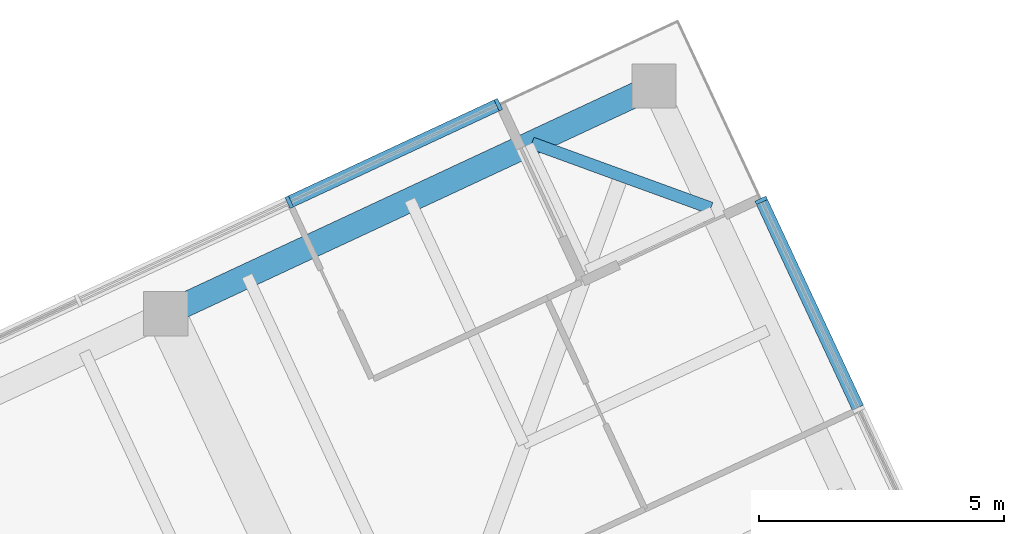
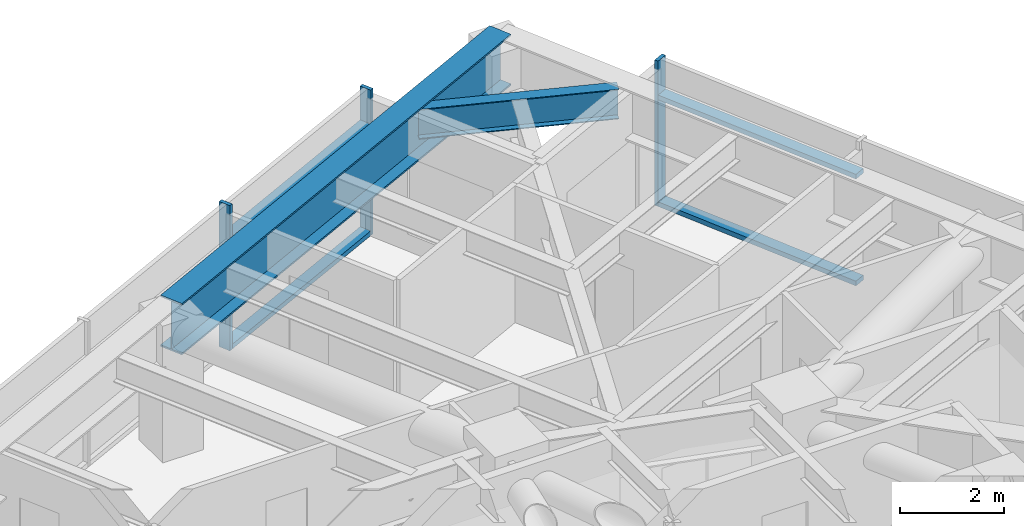
# One storey, part 7 of 16: 7 members, 2 beams, 2 elements without a shape of their own.
"""IFC4 building model written with IfcOpenShell, lengths in metres."""

import ifcopenshell
import ifcopenshell.guid

model = None  # the IFC model being written
_history = None  # IfcOwnerHistory: only IFC2X3 demands one
_inside = {}  # id of a spatial element -> (the spatial element, [elements in it])
_under = {}  # id of a project, library or spatial element -> (it, [spatial elements below it])
_declared = {}  # id of a project -> (the project, [libraries it declares])
_typed = {}  # id of a type object -> (the type object, [elements of that type])
_made_of = {}  # id of a material, layer set ... -> (it, [elements and type objects made of it])


def new_model(schema):
    """Start an empty IFC model of exactly this schema.

    Asked for "IFC4X3", IfcOpenShell would pick the latest addendum, in which some entities
    have other attributes; the version numbers below select the first issue.
    IFC2X3 requires an IfcOwnerHistory on every rooted entity: one is made here for all.
    """
    global model, _history
    if schema == "IFC4X3":
        model = ifcopenshell.file(schema_version=(4, 3, 0, 0))
    else:
        model = ifcopenshell.file(schema=schema)
    _inside.clear()
    _under.clear()
    _declared.clear()
    _typed.clear()
    _made_of.clear()
    _history = None
    if model.schema == "IFC2X3":
        org = make("IfcOrganization", Name="unknown")
        user = make(
            "IfcPersonAndOrganization",
            ThePerson=make("IfcPerson", FamilyName="unknown"),
            TheOrganization=org,
        )
        app = make(
            "IfcApplication",
            ApplicationDeveloper=org,
            Version="unknown",
            ApplicationFullName="unknown",
            ApplicationIdentifier="unknown",
        )
        _history = make(
            "IfcOwnerHistory",
            OwningUser=user,
            OwningApplication=app,
            ChangeAction="ADDED",
            CreationDate=0,
        )
    return model


def make(cls, **values):
    """One entity of the class cls with the attributes given. An attribute that is None is left unset."""
    return model.create_entity(
        cls, **{name: value for name, value in values.items() if value is not None}
    )


def rooted(cls, **values):
    """An entity with a GlobalId (a new one), such as an element, a storey or a relation."""
    return make(cls, GlobalId=ifcopenshell.guid.new(), OwnerHistory=_history, **values)


def si_unit(unit_type, name, prefix=None):
    """IfcSIUnit, for example si_unit("LENGTHUNIT", "METRE", prefix="MILLI")."""
    return make("IfcSIUnit", UnitType=unit_type, Prefix=prefix, Name=name)


def assignment(units):
    """IfcUnitAssignment: the units of a project."""
    return None if units is None else make("IfcUnitAssignment", Units=units)


def point(xyz):
    """IfcCartesianPoint."""
    return None if xyz is None else make("IfcCartesianPoint", Coordinates=xyz)


def direction(xyz):
    """IfcDirection."""
    return None if xyz is None else make("IfcDirection", DirectionRatios=xyz)


def frame(location, z_axis=None, x_axis=None):
    """IfcAxis2Placement3D, a coordinate frame: its origin and axes. An axis left out is left unset."""
    return make(
        "IfcAxis2Placement3D",
        Location=point(location),
        Axis=direction(z_axis),
        RefDirection=direction(x_axis),
    )


def frame_2d(location, x_axis=None):
    """IfcAxis2Placement2D, a coordinate frame in the plane: its origin and x axis."""
    return make(
        "IfcAxis2Placement2D", Location=point(location), RefDirection=direction(x_axis)
    )


def origin():
    """The frame at (0, 0, 0) with its axes left unset."""
    return frame((0.0, 0.0, 0.0))


def origin_2d():
    """The frame at (0, 0) in the plane with its x axis left unset."""
    return frame_2d((0.0, 0.0))


def place(relative_to, where):
    """IfcLocalPlacement: puts the frame where relative to a parent placement (None: the world)."""
    return make(
        "IfcLocalPlacement", PlacementRelTo=relative_to, RelativePlacement=where
    )


def context(
    kind, dimensions, precision=None, world=None, true_north=None, identifier=None
):
    """IfcGeometricRepresentationContext, for example the 3D "Model" context."""
    return make(
        "IfcGeometricRepresentationContext",
        ContextIdentifier=identifier,
        ContextType=kind,
        CoordinateSpaceDimension=dimensions,
        Precision=precision,
        WorldCoordinateSystem=world,
        TrueNorth=true_north,
    )


def subcontext(parent, identifier, kind, view, scale=None):
    """IfcGeometricRepresentationSubContext, for example "Body" below "Model"."""
    return make(
        "IfcGeometricRepresentationSubContext",
        ContextIdentifier=identifier,
        ContextType=kind,
        ParentContext=parent,
        TargetScale=scale,
        TargetView=view,
    )


def project(units=None, contexts=None):
    """IfcProject with its units and contexts."""
    return rooted(
        "IfcProject",
        Name="project",
        RepresentationContexts=contexts,
        UnitsInContext=assignment(units),
    )


def spatial(cls, under=None, at=None, **own):
    """A site, building, storey or space (cls), placed at a placement, below another one or the project."""
    s = rooted(cls, ObjectPlacement=at, **own)
    if under is not None:
        _under.setdefault(under.id(), (under, []))[1].append(s)
    return s


def profile(cls, at=None, kind="AREA", **sizes):
    """A parametric profile (cls). Its sizes go by their IFC names, for example OverallWidth=200.0."""
    return make(cls, ProfileType=kind, Position=at, **sizes)


def rectangle(**sizes):
    """IfcRectangleProfileDef."""
    return profile("IfcRectangleProfileDef", **sizes)


def i_section(**sizes):
    """IfcIShapeProfileDef."""
    return profile("IfcIShapeProfileDef", **sizes)


def extrude(swept, where, along, depth):
    """IfcExtrudedAreaSolid: the profile swept, set in the frame where, extruded along a direction by depth."""
    return make(
        "IfcExtrudedAreaSolid",
        SweptArea=swept,
        Position=where,
        ExtrudedDirection=direction(along),
        Depth=depth,
    )


def shape(context_of_items, identifier, shape_type, items):
    """IfcShapeRepresentation: the items that make up one representation, for example the "Body"."""
    return make(
        "IfcShapeRepresentation",
        ContextOfItems=context_of_items,
        RepresentationIdentifier=identifier,
        RepresentationType=shape_type,
        Items=items,
    )


def material(Name=None, Category=None):
    """IfcMaterial."""
    return make("IfcMaterial", Name=Name, Category=Category)


def material_profile(
    of_material, cross_section, Name=None, Category=None, Priority=None
):
    """IfcMaterialProfile: a cross section and its material."""
    return make(
        "IfcMaterialProfile",
        Name=Name,
        Material=of_material,
        Profile=cross_section,
        Priority=Priority,
        Category=Category,
    )


def profile_set(profiles, Name=None, composite=None):
    """IfcMaterialProfileSet."""
    return make(
        "IfcMaterialProfileSet",
        Name=Name,
        MaterialProfiles=profiles,
        CompositeProfile=composite,
    )


def made_of(thing, what):
    """Note that an element or type object is made of a material, layer set ...; save() writes the relation."""
    if what is not None:
        _made_of.setdefault(what.id(), (what, []))[1].append(thing)
    return thing


def type_object(cls, material=None, **own):
    """A type object (cls), such as IfcWallType, which elements share."""
    return made_of(rooted(cls, **own), material)


def element(
    cls,
    number,
    at=None,
    inside=None,
    cuts=None,
    type_object=None,
    material=None,
    context=None,
    identifier="Body",
    shape_type=None,
    held_by="IfcProductDefinitionShape",
    body=None,
    shapes=None,
    **own,
):
    """One element of the class cls, such as IfcWall. Its Tag is "e" and its number.

    at: its placement. inside: the storey or other place that contains it. cuts: it is an
    opening in that element (IfcRelVoidsElement). A single representation is given by context,
    identifier, shape_type and body (its items); several are given by shapes. held_by: the class
    of the entity that holds the representations. save() writes the other relations.
    """
    e = rooted(cls, Tag="e%d" % number, ObjectPlacement=at, **own)
    if body is not None:
        shapes = [shape(context, identifier, shape_type, body)]
    if shapes is not None:
        e.Representation = make(held_by, Representations=shapes)
    if inside is not None:
        _inside.setdefault(inside.id(), (inside, []))[1].append(e)
    if cuts is not None:
        rooted(
            "IfcRelVoidsElement", RelatingBuildingElement=cuts, RelatedOpeningElement=e
        )
    if type_object is not None:
        _typed.setdefault(type_object.id(), (type_object, []))[1].append(e)
    return made_of(e, material)


def aggregate(whole, parts):
    """IfcRelAggregates: a whole, such as a stair, and the parts it consists of."""
    return rooted("IfcRelAggregates", RelatingObject=whole, RelatedObjects=parts)


def save(model, path):
    """Write the relations noted so far, then the file.

    IfcRelAggregates (storeys below a building ...), IfcRelContainedInSpatialStructure (elements
    in a storey), IfcRelDefinesByType, IfcRelAssociatesMaterial and IfcRelDeclares: one each for
    every whole, place, type object, material and project.
    """
    for whole, parts in _under.values():
        aggregate(whole, parts)
    for where, things in _inside.values():
        rooted(
            "IfcRelContainedInSpatialStructure",
            RelatedElements=things,
            RelatingStructure=where,
        )
    for kind, things in _typed.values():
        rooted("IfcRelDefinesByType", RelatedObjects=things, RelatingType=kind)
    for what, things in _made_of.values():
        rooted("IfcRelAssociatesMaterial", RelatedObjects=things, RelatingMaterial=what)
    for by, libraries in _declared.values():
        rooted("IfcRelDeclares", RelatingContext=by, RelatedDefinitions=libraries)
    model.write(path)


model = new_model("IFC4")

# Units and contexts
model_context = context("Model", 3, precision=1e-05, world=origin(), true_north=direction((0.0, 1.0)))
body_context = subcontext(model_context, "Body", "Model", "MODEL_VIEW")
ifc_project = project(units=[si_unit("LENGTHUNIT", "METRE"), si_unit("AREAUNIT", "SQUARE_METRE"), si_unit("VOLUMEUNIT", "CUBIC_METRE"), si_unit("PLANEANGLEUNIT", "RADIAN"), si_unit("MASSUNIT", "GRAM", prefix="KILO")], contexts=[model_context])

# Site, building, storey
site_placement = place(None, origin())
site = spatial("IfcSite", under=ifc_project, at=site_placement, CompositionType="ELEMENT")
building_placement = place(site_placement, origin())
building = spatial("IfcBuilding", under=site, at=building_placement, Name="Torsade Residences", CompositionType="ELEMENT")
storey_placement = place(building_placement, frame((0.0, 0.0, 199.800048828125)))
storey = spatial("IfcBuildingStorey", under=building, at=storey_placement, Name="L55", CompositionType="ELEMENT", Elevation=199.800048828125)

# Beam
ifc_material_1 = material(Name="Steel grade 300", Category="steel")
ifc_material_profile_1 = material_profile(ifc_material_1, i_section(OverallWidth=0.25, OverallDepth=0.699951171875, WebThickness=0.010009765625, FlangeThickness=0.02001953125, at=origin_2d()), Name="700WB130")
ifc_profile_set_1 = profile_set([ifc_material_profile_1], Name="Steel grade 300")
beam_type_1 = type_object("IfcBeamType", Name="CORNER TRIMMER 700WB130", PredefinedType="BEAM", material=ifc_profile_set_1)
beam_1_placement = place(storey_placement, frame((48.14892578125, 58.07421875, 2.849853515625), z_axis=(0.939698076972, -0.342005152204, 0.0), x_axis=(0.342005152204, 0.939698076972, 0.0)))
element("IfcBeam", 1, at=beam_1_placement, inside=storey, type_object=beam_type_1, Name="Corner trimmer 09 L56", PredefinedType="BEAM", context=body_context, shape_type="SweptSolid", body=[
    extrude(i_section(OverallWidth=0.25, OverallDepth=0.699951171875, WebThickness=0.010009765625, FlangeThickness=0.02001953125, at=origin_2d()), origin(), (0.0, 0.0, 1.0), 3.88916015625),
])

# Curtain wall, member
ifc_material_2 = material(Name="Aluminium and glass", Category="aluminium")
curtain_wall_type = type_object("IfcCurtainWallType", Name="FRITTED GLASS CURTAIN WALL MID ZONE", PredefinedType="NOTDEFINED", material=ifc_material_2)
curtain_wall_1_placement = place(storey_placement, origin())
curtain_wall_1 = element("IfcCurtainWall", 2, at=curtain_wall_1_placement, inside=storey, type_object=curtain_wall_type, Name="Curtain wall L55 face 4", PredefinedType="NOTDEFINED")
ifc_material_3 = material(Name="Aluminium mullion", Category="aluminium")
ifc_material_profile_2 = material_profile(ifc_material_3, rectangle(XDim=0.25, YDim=0.080078125, at=origin_2d()), Name="MID ZONE CURTAIN WALL MULLION 250x80")
ifc_profile_set_2 = profile_set([ifc_material_profile_2], Name="Aluminium mullion")
member_type_1 = type_object("IfcMemberType", Name="MID ZONE CURTAIN WALL MULLION 250x80", PredefinedType="MULLION", material=ifc_profile_set_2)
member_1_placement = place(storey_placement, frame((52.832275390625, 56.90380859375, 0.0), z_axis=(0.0, 0.0, 1.0), x_axis=(-0.906307786926, -0.422618261978, 0.0)))
member_1 = element("IfcMember", 3, at=member_1_placement, type_object=member_type_1, Name="Mullion 9", PredefinedType="MULLION", context=body_context, shape_type="SweptSolid", body=[
    extrude(rectangle(XDim=0.25, YDim=0.080078125, at=origin_2d()), origin(), (0.0, 0.0, 1.0), 3.39990234375),
])

# Curtain wall, members
curtain_wall_2_placement = place(storey_placement, origin())
curtain_wall_2 = element("IfcCurtainWall", 4, at=curtain_wall_2_placement, inside=storey, type_object=curtain_wall_type, Name="Curtain wall L55 face 7", PredefinedType="NOTDEFINED")
member_2_placement = place(storey_placement, frame((47.46337890625, 58.85791015625, 0.0), z_axis=(0.0, 0.0, 1.0), x_axis=(0.422618261978, -0.906307786926, 0.0)))
member_2 = element("IfcMember", 5, at=member_2_placement, type_object=member_type_1, Name="Mullion 1", PredefinedType="MULLION", context=body_context, shape_type="SweptSolid", body=[
    extrude(rectangle(XDim=0.25, YDim=0.080078125, at=origin_2d()), origin(), (0.0, 0.0, 1.0), 3.39990234375),
])
member_3_placement = place(storey_placement, frame((43.194580078125, 56.867431640625, 0.0), z_axis=(0.0, 0.0, 1.0), x_axis=(0.422618261978, -0.906307786926, 0.0)))
member_3 = element("IfcMember", 6, at=member_3_placement, type_object=member_type_1, Name="Mullion 2", PredefinedType="MULLION", context=body_context, shape_type="SweptSolid", body=[
    extrude(rectangle(XDim=0.25, YDim=0.080078125, at=origin_2d()), origin(), (0.0, 0.0, 1.0), 3.39990234375),
])

# Member
ifc_material_4 = material(Name="Aluminium transom", Category="aluminium")
ifc_material_profile_3 = material_profile(ifc_material_4, rectangle(XDim=0.25, YDim=0.110107421875, at=origin_2d()), Name="MID ZONE CURTAIN WALL TRANSOM 250x110")
ifc_profile_set_3 = profile_set([ifc_material_profile_3], Name="Aluminium transom")
member_type_2 = type_object("IfcMemberType", Name="MID ZONE CURTAIN WALL TRANSOM 250x110", PredefinedType="USERDEFINED", material=ifc_profile_set_3)
member_4_placement = place(storey_placement, frame((54.805908203125, 52.67138671875, 0.054931640625), z_axis=(-0.422622764878, 0.906305687176, 0.0), x_axis=(-0.906305687176, -0.422622764878, 0.0)))
member_4 = element("IfcMember", 7, at=member_4_placement, type_object=member_type_2, Name="Transom 8.1", ObjectType="TRANSOM", PredefinedType="USERDEFINED", context=body_context, shape_type="SweptSolid", body=[
    extrude(rectangle(XDim=0.25, YDim=0.110107421875, at=origin_2d()), origin(), (0.0, 0.0, 1.0), 4.630126953125),
])

member_5_placement = place(storey_placement, frame((54.805908203125, 52.67138671875, 2.554931640625), z_axis=(-0.422622764878, 0.906305687176, 0.0), x_axis=(-0.906305687176, -0.422622764878, 0.0)))
member_5 = element("IfcMember", 8, at=member_5_placement, type_object=member_type_2, Name="Transom 8.2", ObjectType="TRANSOM", PredefinedType="USERDEFINED", context=body_context, shape_type="SweptSolid", body=[
    extrude(rectangle(XDim=0.25, YDim=0.110107421875, at=origin_2d()), origin(), (0.0, 0.0, 1.0), 4.630126953125),
])

aggregate(curtain_wall_1, [member_1, member_4, member_5])

member_6_placement = place(storey_placement, frame((47.427001953125, 58.841064453125, 0.054931640625), z_axis=(-0.906296268578, -0.422642962277, 0.0), x_axis=(0.422642962277, -0.906296268578, 0.0)))
member_6 = element("IfcMember", 9, at=member_6_placement, type_object=member_type_2, Name="Transom 1.1", ObjectType="TRANSOM", PredefinedType="USERDEFINED", context=body_context, shape_type="SweptSolid", body=[
    extrude(rectangle(XDim=0.25, YDim=0.110107421875, at=origin_2d()), origin(), (0.0, 0.0, 1.0), 4.6298828125),
])

member_7_placement = place(storey_placement, frame((47.427001953125, 58.841064453125, 2.554931640625), z_axis=(-0.906296268578, -0.422642962277, 0.0), x_axis=(0.422642962277, -0.906296268578, 0.0)))
member_7 = element("IfcMember", 10, at=member_7_placement, type_object=member_type_2, Name="Transom 1.2", ObjectType="TRANSOM", PredefinedType="USERDEFINED", context=body_context, shape_type="SweptSolid", body=[
    extrude(rectangle(XDim=0.25, YDim=0.110107421875, at=origin_2d()), origin(), (0.0, 0.0, 1.0), 4.6298828125),
])

aggregate(curtain_wall_2, [member_2, member_3, member_6, member_7])

# Beam
ifc_material_5 = material(Name="Steel grade 300", Category="steel")
ifc_material_profile_4 = material_profile(ifc_material_5, i_section(OverallWidth=0.5, OverallDepth=1.199951171875, WebThickness=0.01611328125, FlangeThickness=0.0400390625, at=origin_2d()), Name="1200WB455")
ifc_profile_set_4 = profile_set([ifc_material_profile_4], Name="Steel grade 300")
beam_type_2 = type_object("IfcBeamType", Name="TRANSFER TRUSS CHORD 1200WB455", PredefinedType="USERDEFINED", material=ifc_profile_set_4)
beam_2_placement = place(storey_placement, frame((50.64111328125, 59.236328125, 2.800048828125), z_axis=(-0.906309546032, -0.422614489543, 0.0), x_axis=(0.422614489543, -0.906309546032, 0.0)))
element("IfcBeam", 11, at=beam_2_placement, inside=storey, type_object=beam_type_2, Name="Transfer truss TT6 bottom chord 09", ObjectType="TRANSFER TRUSS CHORD", PredefinedType="USERDEFINED", context=body_context, shape_type="SweptSolid", body=[
    extrude(i_section(OverallWidth=0.5, OverallDepth=1.199951171875, WebThickness=0.01611328125, FlangeThickness=0.0400390625, at=origin_2d()), origin(), (0.0, 0.0, 1.0), 10.999755859375),
])

save(model, "model.ifc")
